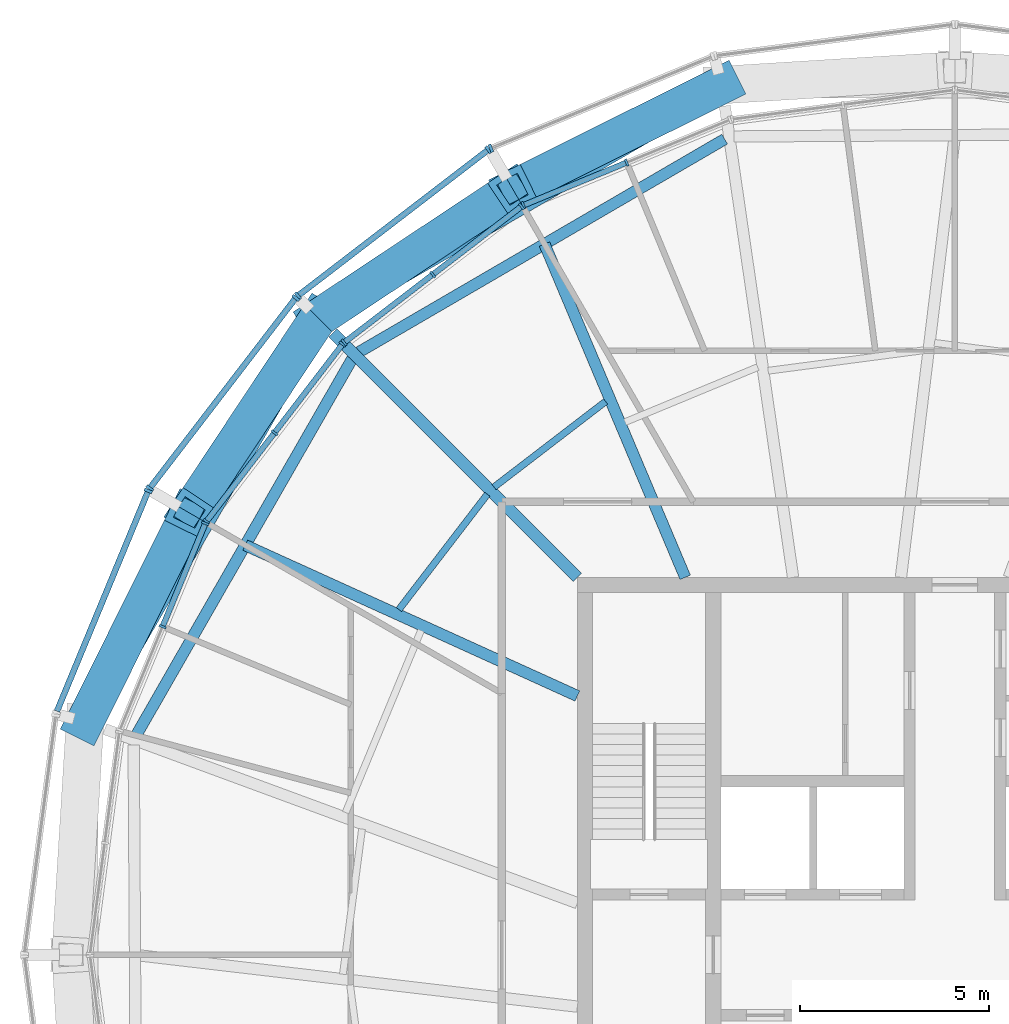
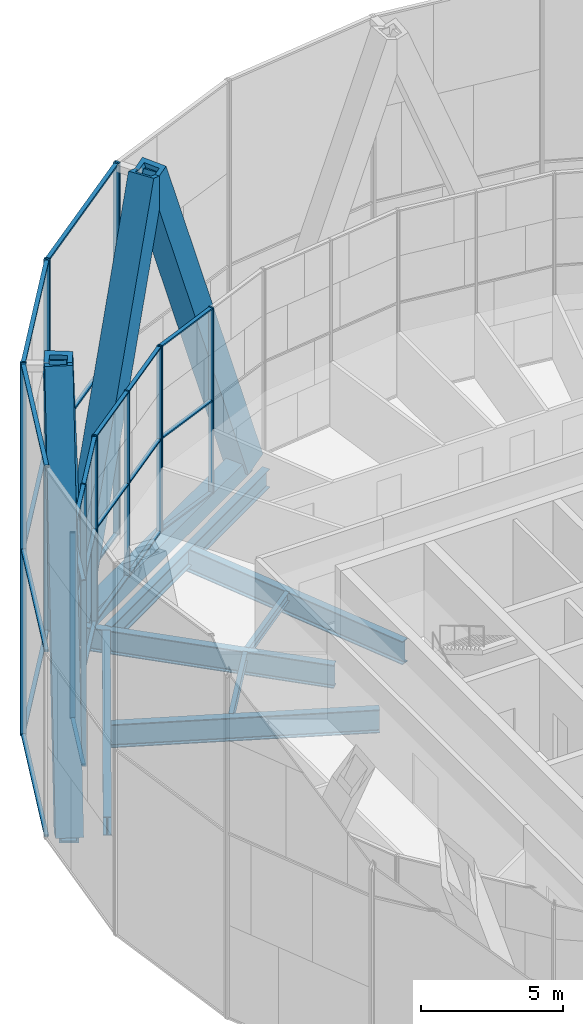
# One storey, part 6 of 23: 47 members, 9 beams, 8 elements without a shape of their own.
"""IFC4 building model written with IfcOpenShell, lengths in metres."""

from ifc_helpers import new_model, si_unit, direction, frame, origin, origin_2d, place, context, subcontext, project, spatial, rectangle, hollow_rectangle, i_section, extrude, material, material_profile, profile_set, type_object, element, aggregate, save


model = new_model("IFC4")

# Units and contexts
model_context = context("Model", 3, precision=1e-05, world=origin(), true_north=direction((0.0, 1.0)))
body_context = subcontext(model_context, "Body", "Model", "MODEL_VIEW")
ifc_project = project(units=[si_unit("LENGTHUNIT", "METRE"), si_unit("AREAUNIT", "SQUARE_METRE"), si_unit("VOLUMEUNIT", "CUBIC_METRE"), si_unit("PLANEANGLEUNIT", "RADIAN"), si_unit("MASSUNIT", "GRAM", prefix="KILO")], contexts=[model_context])

# Site, building, storey
site_placement = place(None, origin())
site = spatial("IfcSite", under=ifc_project, at=site_placement, CompositionType="ELEMENT")
building_placement = place(site_placement, origin())
building = spatial("IfcBuilding", under=site, at=building_placement, Name="Golbaran Civic Tower", CompositionType="ELEMENT")
storey_placement = place(building_placement, frame((0.0, 0.0, 232.0)))
storey = spatial("IfcBuildingStorey", under=building, at=storey_placement, Name="L56", CompositionType="ELEMENT", Elevation=232.0)

# Members
ifc_material_1 = material(Name="Steel S355", Category="steel")
ifc_material_profile_1 = material_profile(ifc_material_1, hollow_rectangle(XDim=1.0, YDim=1.0, WallThickness=0.179931640625, at=origin_2d()), Name="BOX 1000x1000x180")
ifc_profile_set_1 = profile_set([ifc_material_profile_1], Name="Steel S355")
member_type_1 = type_object("IfcMemberType", Name="DIAGRID DIAGONAL BOX 1000x1000x180", PredefinedType="BRACE", material=ifc_profile_set_1)
for number, where, z_axis, x_axis, name in (
    (1, (-6.174072265625, 23.042236328125, -0.7099609375), (-0.322799502318, -0.160737955962, 0.932718494947), (0.445744805751, -0.895160079621, 0.0), "Diagonal D13-03R L56-L60"),
    (2, (-16.867919921875, 16.867919921875, -0.7099609375), (-0.199193188521, -0.300597265987, 0.932718262568), (0.833589339874, -0.552384659859, 0.0), "Diagonal D13-04R L56-L60"),
    (3, (-16.867919921875, 16.867919921875, -0.7099609375), (0.300597265987, 0.199193188521, 0.932718262568), (-0.552384659859, 0.833589339874, 0.0), "Diagonal D13-04L L56-L60"),
    (4, (-23.042236328125, 6.174072265625, -0.7099609375), (0.160737955962, 0.322799502318, 0.932718494947), (-0.895160079621, 0.445744805751, 0.0), "Diagonal D13-05L L56-L60"),
):
    element("IfcMember", number, at=place(storey_placement, frame(where, z_axis=z_axis, x_axis=x_axis)), inside=storey, type_object=member_type_1, Name=name, PredefinedType="BRACE", context=body_context, shape_type="SweptSolid", body=[
        extrude(hollow_rectangle(XDim=1.0, YDim=1.0, WallThickness=0.179931640625, at=origin_2d()), origin(), (0.0, 0.0, 1.0), 17.154052734375),
    ])

# Beams
ifc_material_profile_2 = material_profile(ifc_material_1, hollow_rectangle(XDim=0.699951171875, YDim=0.699951171875, WallThickness=0.080078125, at=origin_2d()), Name="BOX 700x700x80")
ifc_profile_set_2 = profile_set([ifc_material_profile_2], Name="Steel S355")
beam_type_1 = type_object("IfcBeamType", Name="DIAGRID RING TIE BOX 700x700x80", PredefinedType="BEAM", material=ifc_profile_set_2)
for number, where, z_axis, x_axis, name in (
    (5, (-6.174072265625, 23.042236328125, -0.7099609375), (-0.866017668581, -0.500013397526, 0.0), (0.500013397526, -0.866017668581, 0.0), "Ring tie 105.00 L56"),
    (6, (-16.867919921875, 16.867919921875, -0.7099609375), (-0.500013397526, -0.866017668581, 0.0), (0.866017668581, -0.500013397526, 0.0), "Ring tie 135.00 L56"),
):
    element("IfcBeam", number, at=place(storey_placement, frame(where, z_axis=z_axis, x_axis=x_axis)), inside=storey, type_object=beam_type_1, Name=name, PredefinedType="BEAM", context=body_context, shape_type="SweptSolid", body=[
        extrude(hollow_rectangle(XDim=0.699951171875, YDim=0.699951171875, WallThickness=0.080078125, at=origin_2d()), origin(), (0.0, 0.0, 1.0), 12.348388671875),
    ])
ifc_material_profile_3 = material_profile(ifc_material_1, i_section(OverallWidth=0.300048828125, OverallDepth=0.800048828125, WebThickness=0.017578125, FlangeThickness=0.032958984375, FilletRadius=0.030029296875, at=origin_2d()), Name="HEB 800")
ifc_profile_set_3 = profile_set([ifc_material_profile_3], Name="Steel S355")
beam_type_2 = type_object("IfcBeamType", Name="EDGE BEAM HEB 800", PredefinedType="BEAM", material=ifc_profile_set_3)
beam_1_placement = place(storey_placement, frame((-6.097900390625, 21.607666015625, -0.60009765625), z_axis=(-0.86420835088, -0.503134103664, 0.0), x_axis=(0.503134103664, -0.86420835088, 0.0)))
element("IfcBeam", 7, at=beam_1_placement, inside=storey, type_object=beam_type_2, Name="Edge beam 105.00 L56", PredefinedType="BEAM", context=body_context, shape_type="SweptSolid", body=[
    extrude(i_section(OverallWidth=0.300048828125, OverallDepth=0.800048828125, WebThickness=0.017578125, FlangeThickness=0.032958984375, FilletRadius=0.030029296875, at=origin_2d()), origin(), (0.0, 0.0, 1.0), 11.20849609375),
])
beam_2_placement = place(storey_placement, frame((-15.9677734375, 15.783935546875, -0.60009765625), z_axis=(-0.497595320812, -0.867409301717, 0.0), x_axis=(0.867409301717, -0.497595320812, 0.0)))
element("IfcBeam", 8, at=beam_2_placement, inside=storey, type_object=beam_type_2, Name="Edge beam 135.00 L56", PredefinedType="BEAM", context=body_context, shape_type="SweptSolid", body=[
    extrude(i_section(OverallWidth=0.300048828125, OverallDepth=0.800048828125, WebThickness=0.017578125, FlangeThickness=0.032958984375, FilletRadius=0.030029296875, at=origin_2d()), origin(), (0.0, 0.0, 1.0), 11.494140625),
])
ifc_material_profile_4 = material_profile(ifc_material_1, i_section(OverallWidth=0.179931640625, OverallDepth=0.39990234375, WebThickness=0.008544921875, FlangeThickness=0.013427734375, FilletRadius=0.02099609375, at=origin_2d()), Name="IPE 400")
ifc_profile_set_4 = profile_set([ifc_material_profile_4], Name="Steel S355")
beam_type_3 = type_object("IfcBeamType", Name="FLOOR INFILL BEAM IPE 400", PredefinedType="BEAM", material=ifc_profile_set_4)
beam_3_placement = place(storey_placement, frame((-9.25146484375, 14.6591796875, -0.39990234375), z_axis=(-0.793354221476, -0.608760280624, 0.0), x_axis=(0.608760280624, -0.793354221476, 0.0)))
element("IfcBeam", 9, at=beam_3_placement, inside=storey, type_object=beam_type_3, Name="Infill beam 127.50 L56", PredefinedType="BEAM", context=body_context, shape_type="SweptSolid", body=[
    extrude(i_section(OverallWidth=0.179931640625, OverallDepth=0.39990234375, WebThickness=0.008544921875, FlangeThickness=0.013427734375, FilletRadius=0.02099609375, at=origin_2d()), origin(), (0.0, 0.0, 1.0), 3.725830078125),
])
beam_4_placement = place(storey_placement, frame((-12.38427734375, 12.200439453125, -0.39990234375), z_axis=(-0.608763080364, -0.793352073159, 0.0), x_axis=(0.793352073159, -0.608763080364, 0.0)))
element("IfcBeam", 10, at=beam_4_placement, inside=storey, type_object=beam_type_3, Name="Infill beam 142.50 L56", PredefinedType="BEAM", context=body_context, shape_type="SweptSolid", body=[
    extrude(i_section(OverallWidth=0.179931640625, OverallDepth=0.39990234375, WebThickness=0.008544921875, FlangeThickness=0.013427734375, FilletRadius=0.02099609375, at=origin_2d()), origin(), (0.0, 0.0, 1.0), 3.848876953125),
])

# Curtain wall, members
ifc_material_2 = material(Name="Aluminium and glass", Category="aluminium")
curtain_wall_type_1 = type_object("IfcCurtainWallType", Name="INNER SKIN CURTAIN WALL EXECUTIVE", PredefinedType="NOTDEFINED", material=ifc_material_2)
curtain_wall_1_placement = place(storey_placement, origin())
curtain_wall_1 = element("IfcCurtainWall", 11, at=curtain_wall_1_placement, inside=storey, type_object=curtain_wall_type_1, Name="Inner skin L56 facet 8 CW2", ObjectType="INNER SKIN", PredefinedType="USERDEFINED")
ifc_material_3 = material(Name="Aluminium", Category="aluminium")
ifc_material_profile_5 = material_profile(ifc_material_3, rectangle(XDim=0.199951171875, YDim=0.06005859375, at=origin_2d()), Name="INNER SKIN CURTAIN WALL EXECUTIVE MULLION")
ifc_profile_set_5 = profile_set([ifc_material_profile_5], Name="Aluminium")
member_type_2 = type_object("IfcMemberType", Name="INNER SKIN CURTAIN WALL EXECUTIVE MULLION", PredefinedType="MULLION", material=ifc_profile_set_5)
member_1_placement = place(storey_placement, frame((-8.693359375, 20.98779296875, 0.0), z_axis=(0.0, 0.0, 1.0), x_axis=(0.382683432365, -0.923879532511, 0.0)))
member_1 = element("IfcMember", 12, at=member_1_placement, type_object=member_type_2, Name="CW2 mullion 2", PredefinedType="MULLION", context=body_context, shape_type="SweptSolid", body=[
    extrude(rectangle(XDim=0.199951171875, YDim=0.06005859375, at=origin_2d()), origin(), (0.0, 0.0, 1.0), 8.0),
])
member_2_placement = place(storey_placement, frame((-11.4287109375, 19.854736328125, 0.0), z_axis=(0.0, 0.0, 1.0), x_axis=(0.382683432365, -0.923879532511, 0.0)))
member_2 = element("IfcMember", 13, at=member_2_placement, type_object=member_type_2, Name="CW2 mullion 3", PredefinedType="MULLION", context=body_context, shape_type="SweptSolid", body=[
    extrude(rectangle(XDim=0.199951171875, YDim=0.06005859375, at=origin_2d()), origin(), (0.0, 0.0, 1.0), 8.0),
])

curtain_wall_2_placement = place(storey_placement, origin())
curtain_wall_2 = element("IfcCurtainWall", 14, at=curtain_wall_2_placement, inside=storey, type_object=curtain_wall_type_1, Name="Inner skin L56 facet 9 CW2", ObjectType="INNER SKIN", PredefinedType="USERDEFINED")
member_3_placement = place(storey_placement, frame((-11.480224609375, 19.824951171875, 0.0), z_axis=(0.0, 0.0, 1.0), x_axis=(0.608761429078, -0.793353340238, 0.0)))
member_3 = element("IfcMember", 15, at=member_3_placement, type_object=member_type_2, Name="CW2 mullion 1", PredefinedType="MULLION", context=body_context, shape_type="SweptSolid", body=[
    extrude(rectangle(XDim=0.199951171875, YDim=0.06005859375, at=origin_2d()), origin(), (0.0, 0.0, 1.0), 8.0),
])
member_4_placement = place(storey_placement, frame((-13.8291015625, 18.022705078125, 0.0), z_axis=(0.0, 0.0, 1.0), x_axis=(0.608761429078, -0.793353340238, 0.0)))
member_4 = element("IfcMember", 16, at=member_4_placement, type_object=member_type_2, Name="CW2 mullion 2", PredefinedType="MULLION", context=body_context, shape_type="SweptSolid", body=[
    extrude(rectangle(XDim=0.199951171875, YDim=0.06005859375, at=origin_2d()), origin(), (0.0, 0.0, 1.0), 8.0),
])
member_5_placement = place(storey_placement, frame((-16.17822265625, 16.22021484375, 0.0), z_axis=(0.0, 0.0, 1.0), x_axis=(0.608761429078, -0.793353340238, 0.0)))
member_5 = element("IfcMember", 17, at=member_5_placement, type_object=member_type_2, Name="CW2 mullion 3", PredefinedType="MULLION", context=body_context, shape_type="SweptSolid", body=[
    extrude(rectangle(XDim=0.199951171875, YDim=0.06005859375, at=origin_2d()), origin(), (0.0, 0.0, 1.0), 8.0),
])

curtain_wall_3_placement = place(storey_placement, origin())
curtain_wall_3 = element("IfcCurtainWall", 18, at=curtain_wall_3_placement, inside=storey, type_object=curtain_wall_type_1, Name="Inner skin L56 facet 10 CW2", ObjectType="INNER SKIN", PredefinedType="USERDEFINED")
member_6_placement = place(storey_placement, frame((-16.22021484375, 16.17822265625, 0.0), z_axis=(0.0, 0.0, 1.0), x_axis=(0.793353340238, -0.608761429078, 0.0)))
member_6 = element("IfcMember", 19, at=member_6_placement, type_object=member_type_2, Name="CW2 mullion 1", PredefinedType="MULLION", context=body_context, shape_type="SweptSolid", body=[
    extrude(rectangle(XDim=0.199951171875, YDim=0.06005859375, at=origin_2d()), origin(), (0.0, 0.0, 1.0), 8.0),
])
member_7_placement = place(storey_placement, frame((-18.022705078125, 13.8291015625, 0.0), z_axis=(0.0, 0.0, 1.0), x_axis=(0.793353340238, -0.608761429078, 0.0)))
member_7 = element("IfcMember", 20, at=member_7_placement, type_object=member_type_2, Name="CW2 mullion 2", PredefinedType="MULLION", context=body_context, shape_type="SweptSolid", body=[
    extrude(rectangle(XDim=0.199951171875, YDim=0.06005859375, at=origin_2d()), origin(), (0.0, 0.0, 1.0), 8.0),
])
member_8_placement = place(storey_placement, frame((-19.824951171875, 11.480224609375, 0.0), z_axis=(0.0, 0.0, 1.0), x_axis=(0.793353340238, -0.608761429078, 0.0)))
member_8 = element("IfcMember", 21, at=member_8_placement, type_object=member_type_2, Name="CW2 mullion 3", PredefinedType="MULLION", context=body_context, shape_type="SweptSolid", body=[
    extrude(rectangle(XDim=0.199951171875, YDim=0.06005859375, at=origin_2d()), origin(), (0.0, 0.0, 1.0), 8.0),
])

curtain_wall_4_placement = place(storey_placement, origin())
curtain_wall_4 = element("IfcCurtainWall", 22, at=curtain_wall_4_placement, inside=storey, type_object=curtain_wall_type_1, Name="Inner skin L56 facet 11 CW2", ObjectType="INNER SKIN", PredefinedType="USERDEFINED")
member_9_placement = place(storey_placement, frame((-19.854736328125, 11.4287109375, 0.0), z_axis=(0.0, 0.0, 1.0), x_axis=(0.923879532511, -0.382683432365, 0.0)))
member_9 = element("IfcMember", 23, at=member_9_placement, type_object=member_type_2, Name="CW2 mullion 1", PredefinedType="MULLION", context=body_context, shape_type="SweptSolid", body=[
    extrude(rectangle(XDim=0.199951171875, YDim=0.06005859375, at=origin_2d()), origin(), (0.0, 0.0, 1.0), 8.0),
])
member_10_placement = place(storey_placement, frame((-20.98779296875, 8.693359375, 0.0), z_axis=(0.0, 0.0, 1.0), x_axis=(0.923879532511, -0.382683432365, 0.0)))
member_10 = element("IfcMember", 24, at=member_10_placement, type_object=member_type_2, Name="CW2 mullion 2", PredefinedType="MULLION", context=body_context, shape_type="SweptSolid", body=[
    extrude(rectangle(XDim=0.199951171875, YDim=0.06005859375, at=origin_2d()), origin(), (0.0, 0.0, 1.0), 8.0),
])

# Member
ifc_material_profile_6 = material_profile(ifc_material_3, rectangle(XDim=0.14990234375, YDim=0.06005859375, at=origin_2d()), Name="INNER SKIN CURTAIN WALL EXECUTIVE TRANSOM")
ifc_profile_set_6 = profile_set([ifc_material_profile_6], Name="Aluminium")
member_type_3 = type_object("IfcMemberType", Name="INNER SKIN CURTAIN WALL EXECUTIVE TRANSOM", PredefinedType="USERDEFINED", material=ifc_profile_set_6)
member_11_placement = place(storey_placement, frame((-8.72119140625, 20.976318359375, 0.030029296875), z_axis=(-0.923874243896, -0.382696199963, 0.0), x_axis=(0.382696199963, -0.923874243896, 0.0)))
member_11 = element("IfcMember", 25, at=member_11_placement, type_object=member_type_3, Name="CW2 transom 2.1", ObjectType="TRANSOM", PredefinedType="USERDEFINED", context=body_context, shape_type="SweptSolid", body=[
    extrude(rectangle(XDim=0.14990234375, YDim=0.06005859375, at=origin_2d()), origin(), (0.0, 0.0, 1.0), 2.900634765625),
])

member_12_placement = place(storey_placement, frame((-8.72119140625, 20.976318359375, 4.0), z_axis=(-0.923874243896, -0.382696199963, 0.0), x_axis=(0.382696199963, -0.923874243896, 0.0)))
member_12 = element("IfcMember", 26, at=member_12_placement, type_object=member_type_3, Name="CW2 transom 2.2", ObjectType="TRANSOM", PredefinedType="USERDEFINED", context=body_context, shape_type="SweptSolid", body=[
    extrude(rectangle(XDim=0.14990234375, YDim=0.06005859375, at=origin_2d()), origin(), (0.0, 0.0, 1.0), 2.900634765625),
])

member_13_placement = place(storey_placement, frame((-8.72119140625, 20.976318359375, 7.969970703125), z_axis=(-0.923874243896, -0.382696199963, 0.0), x_axis=(0.382696199963, -0.923874243896, 0.0)))
member_13 = element("IfcMember", 27, at=member_13_placement, type_object=member_type_3, Name="CW2 transom 2.3", ObjectType="TRANSOM", PredefinedType="USERDEFINED", context=body_context, shape_type="SweptSolid", body=[
    extrude(rectangle(XDim=0.14990234375, YDim=0.06005859375, at=origin_2d()), origin(), (0.0, 0.0, 1.0), 2.900634765625),
])

aggregate(curtain_wall_1, [member_1, member_2, member_11, member_12, member_13])

member_14_placement = place(storey_placement, frame((-11.504150390625, 19.806640625, 0.030029296875), z_axis=(-0.793346193695, -0.608770742521, 0.0), x_axis=(0.608770742521, -0.793346193695, 0.0)))
member_14 = element("IfcMember", 28, at=member_14_placement, type_object=member_type_3, Name="CW2 transom 1.1", ObjectType="TRANSOM", PredefinedType="USERDEFINED", context=body_context, shape_type="SweptSolid", body=[
    extrude(rectangle(XDim=0.14990234375, YDim=0.06005859375, at=origin_2d()), origin(), (0.0, 0.0, 1.0), 2.900634765625),
])

member_15_placement = place(storey_placement, frame((-11.504150390625, 19.806640625, 4.0), z_axis=(-0.793346193695, -0.608770742521, 0.0), x_axis=(0.608770742521, -0.793346193695, 0.0)))
member_15 = element("IfcMember", 29, at=member_15_placement, type_object=member_type_3, Name="CW2 transom 1.2", ObjectType="TRANSOM", PredefinedType="USERDEFINED", context=body_context, shape_type="SweptSolid", body=[
    extrude(rectangle(XDim=0.14990234375, YDim=0.06005859375, at=origin_2d()), origin(), (0.0, 0.0, 1.0), 2.900634765625),
])

member_16_placement = place(storey_placement, frame((-11.504150390625, 19.806640625, 7.969970703125), z_axis=(-0.793346193695, -0.608770742521, 0.0), x_axis=(0.608770742521, -0.793346193695, 0.0)))
member_16 = element("IfcMember", 30, at=member_16_placement, type_object=member_type_3, Name="CW2 transom 1.3", ObjectType="TRANSOM", PredefinedType="USERDEFINED", context=body_context, shape_type="SweptSolid", body=[
    extrude(rectangle(XDim=0.14990234375, YDim=0.06005859375, at=origin_2d()), origin(), (0.0, 0.0, 1.0), 2.900634765625),
])

member_17_placement = place(storey_placement, frame((-13.85302734375, 18.00439453125, 0.030029296875), z_axis=(-0.793346193695, -0.608770742521, 0.0), x_axis=(0.608770742521, -0.793346193695, 0.0)))
member_17 = element("IfcMember", 31, at=member_17_placement, type_object=member_type_3, Name="CW2 transom 2.1", ObjectType="TRANSOM", PredefinedType="USERDEFINED", context=body_context, shape_type="SweptSolid", body=[
    extrude(rectangle(XDim=0.14990234375, YDim=0.06005859375, at=origin_2d()), origin(), (0.0, 0.0, 1.0), 2.900634765625),
])

member_18_placement = place(storey_placement, frame((-13.85302734375, 18.00439453125, 4.0), z_axis=(-0.793346193695, -0.608770742521, 0.0), x_axis=(0.608770742521, -0.793346193695, 0.0)))
member_18 = element("IfcMember", 32, at=member_18_placement, type_object=member_type_3, Name="CW2 transom 2.2", ObjectType="TRANSOM", PredefinedType="USERDEFINED", context=body_context, shape_type="SweptSolid", body=[
    extrude(rectangle(XDim=0.14990234375, YDim=0.06005859375, at=origin_2d()), origin(), (0.0, 0.0, 1.0), 2.900634765625),
])

member_19_placement = place(storey_placement, frame((-13.85302734375, 18.00439453125, 7.969970703125), z_axis=(-0.793346193695, -0.608770742521, 0.0), x_axis=(0.608770742521, -0.793346193695, 0.0)))
member_19 = element("IfcMember", 33, at=member_19_placement, type_object=member_type_3, Name="CW2 transom 2.3", ObjectType="TRANSOM", PredefinedType="USERDEFINED", context=body_context, shape_type="SweptSolid", body=[
    extrude(rectangle(XDim=0.14990234375, YDim=0.06005859375, at=origin_2d()), origin(), (0.0, 0.0, 1.0), 2.900634765625),
])

aggregate(curtain_wall_2, [member_3, member_4, member_5, member_14, member_15, member_16, member_17, member_18, member_19])

member_20_placement = place(storey_placement, frame((-16.238525390625, 16.154296875, 0.030029296875), z_axis=(-0.608770742521, -0.793346193695, 0.0), x_axis=(0.793346193695, -0.608770742521, 0.0)))
member_20 = element("IfcMember", 34, at=member_20_placement, type_object=member_type_3, Name="CW2 transom 1.1", ObjectType="TRANSOM", PredefinedType="USERDEFINED", context=body_context, shape_type="SweptSolid", body=[
    extrude(rectangle(XDim=0.14990234375, YDim=0.06005859375, at=origin_2d()), origin(), (0.0, 0.0, 1.0), 2.900634765625),
])

member_21_placement = place(storey_placement, frame((-16.238525390625, 16.154296875, 4.0), z_axis=(-0.608770742521, -0.793346193695, 0.0), x_axis=(0.793346193695, -0.608770742521, 0.0)))
member_21 = element("IfcMember", 35, at=member_21_placement, type_object=member_type_3, Name="CW2 transom 1.2", ObjectType="TRANSOM", PredefinedType="USERDEFINED", context=body_context, shape_type="SweptSolid", body=[
    extrude(rectangle(XDim=0.14990234375, YDim=0.06005859375, at=origin_2d()), origin(), (0.0, 0.0, 1.0), 2.900634765625),
])

member_22_placement = place(storey_placement, frame((-16.238525390625, 16.154296875, 7.969970703125), z_axis=(-0.608770742521, -0.793346193695, 0.0), x_axis=(0.793346193695, -0.608770742521, 0.0)))
member_22 = element("IfcMember", 36, at=member_22_placement, type_object=member_type_3, Name="CW2 transom 1.3", ObjectType="TRANSOM", PredefinedType="USERDEFINED", context=body_context, shape_type="SweptSolid", body=[
    extrude(rectangle(XDim=0.14990234375, YDim=0.06005859375, at=origin_2d()), origin(), (0.0, 0.0, 1.0), 2.900634765625),
])

member_23_placement = place(storey_placement, frame((-18.040771484375, 13.805419921875, 0.030029296875), z_axis=(-0.608770742521, -0.793346193695, 0.0), x_axis=(0.793346193695, -0.608770742521, 0.0)))
member_23 = element("IfcMember", 37, at=member_23_placement, type_object=member_type_3, Name="CW2 transom 2.1", ObjectType="TRANSOM", PredefinedType="USERDEFINED", context=body_context, shape_type="SweptSolid", body=[
    extrude(rectangle(XDim=0.14990234375, YDim=0.06005859375, at=origin_2d()), origin(), (0.0, 0.0, 1.0), 2.900634765625),
])

member_24_placement = place(storey_placement, frame((-18.040771484375, 13.805419921875, 4.0), z_axis=(-0.608770742521, -0.793346193695, 0.0), x_axis=(0.793346193695, -0.608770742521, 0.0)))
member_24 = element("IfcMember", 38, at=member_24_placement, type_object=member_type_3, Name="CW2 transom 2.2", ObjectType="TRANSOM", PredefinedType="USERDEFINED", context=body_context, shape_type="SweptSolid", body=[
    extrude(rectangle(XDim=0.14990234375, YDim=0.06005859375, at=origin_2d()), origin(), (0.0, 0.0, 1.0), 2.900634765625),
])

member_25_placement = place(storey_placement, frame((-18.040771484375, 13.805419921875, 7.969970703125), z_axis=(-0.608770742521, -0.793346193695, 0.0), x_axis=(0.793346193695, -0.608770742521, 0.0)))
member_25 = element("IfcMember", 39, at=member_25_placement, type_object=member_type_3, Name="CW2 transom 2.3", ObjectType="TRANSOM", PredefinedType="USERDEFINED", context=body_context, shape_type="SweptSolid", body=[
    extrude(rectangle(XDim=0.14990234375, YDim=0.06005859375, at=origin_2d()), origin(), (0.0, 0.0, 1.0), 2.900634765625),
])

aggregate(curtain_wall_3, [member_6, member_7, member_8, member_20, member_21, member_22, member_23, member_24, member_25])

member_26_placement = place(storey_placement, frame((-19.8662109375, 11.401123046875, 0.030029296875), z_axis=(-0.382696199963, -0.923874243896, 0.0), x_axis=(0.923874243896, -0.382696199963, 0.0)))
member_26 = element("IfcMember", 40, at=member_26_placement, type_object=member_type_3, Name="CW2 transom 1.1", ObjectType="TRANSOM", PredefinedType="USERDEFINED", context=body_context, shape_type="SweptSolid", body=[
    extrude(rectangle(XDim=0.14990234375, YDim=0.06005859375, at=origin_2d()), origin(), (0.0, 0.0, 1.0), 2.900634765625),
])

member_27_placement = place(storey_placement, frame((-19.8662109375, 11.401123046875, 4.0), z_axis=(-0.382696199963, -0.923874243896, 0.0), x_axis=(0.923874243896, -0.382696199963, 0.0)))
member_27 = element("IfcMember", 41, at=member_27_placement, type_object=member_type_3, Name="CW2 transom 1.2", ObjectType="TRANSOM", PredefinedType="USERDEFINED", context=body_context, shape_type="SweptSolid", body=[
    extrude(rectangle(XDim=0.14990234375, YDim=0.06005859375, at=origin_2d()), origin(), (0.0, 0.0, 1.0), 2.900634765625),
])

member_28_placement = place(storey_placement, frame((-19.8662109375, 11.401123046875, 7.969970703125), z_axis=(-0.382696199963, -0.923874243896, 0.0), x_axis=(0.923874243896, -0.382696199963, 0.0)))
member_28 = element("IfcMember", 42, at=member_28_placement, type_object=member_type_3, Name="CW2 transom 1.3", ObjectType="TRANSOM", PredefinedType="USERDEFINED", context=body_context, shape_type="SweptSolid", body=[
    extrude(rectangle(XDim=0.14990234375, YDim=0.06005859375, at=origin_2d()), origin(), (0.0, 0.0, 1.0), 2.900634765625),
])

aggregate(curtain_wall_4, [member_9, member_10, member_26, member_27, member_28])

# Curtain wall, member
curtain_wall_type_2 = type_object("IfcCurtainWallType", Name="OUTER SKIN TERRACOTTA SCREEN", PredefinedType="NOTDEFINED", material=ifc_material_2)
curtain_wall_5_placement = place(storey_placement, origin())
curtain_wall_5 = element("IfcCurtainWall", 43, at=curtain_wall_5_placement, inside=storey, type_object=curtain_wall_type_2, Name="Outer skin L56 facet 8 CW3", ObjectType="OUTER SKIN", PredefinedType="USERDEFINED")
ifc_material_profile_7 = material_profile(ifc_material_3, rectangle(XDim=0.219970703125, YDim=0.080078125, at=origin_2d()), Name="OUTER SKIN TERRACOTTA SCREEN MULLION")
ifc_profile_set_7 = profile_set([ifc_material_profile_7], Name="Aluminium")
member_type_4 = type_object("IfcMemberType", Name="OUTER SKIN TERRACOTTA SCREEN MULLION", PredefinedType="MULLION", material=ifc_profile_set_7)
member_29_placement = place(storey_placement, frame((-12.29052734375, 21.3671875, -0.7099609375), z_axis=(0.0, 0.0, 1.0), x_axis=(0.382683432381, -0.923879532505, 0.0)))
member_29 = element("IfcMember", 44, at=member_29_placement, type_object=member_type_4, Name="CW3 mullion 2", PredefinedType="MULLION", context=body_context, shape_type="SweptSolid", body=[
    extrude(rectangle(XDim=0.219970703125, YDim=0.080078125, at=origin_2d()), origin(), (0.0, 0.0, 1.0), 16.0),
])
aggregate(curtain_wall_5, [member_29])

# Curtain wall, members
curtain_wall_6_placement = place(storey_placement, origin())
curtain_wall_6 = element("IfcCurtainWall", 45, at=curtain_wall_6_placement, inside=storey, type_object=curtain_wall_type_2, Name="Outer skin L56 facet 9 CW3", ObjectType="OUTER SKIN", PredefinedType="USERDEFINED")
member_30_placement = place(storey_placement, frame((-12.359130859375, 21.327392578125, -0.7099609375), z_axis=(0.0, 0.0, 1.0), x_axis=(0.608761429009, -0.793353340291, 0.0)))
member_30 = element("IfcMember", 46, at=member_30_placement, type_object=member_type_4, Name="CW3 mullion 1", PredefinedType="MULLION", context=body_context, shape_type="SweptSolid", body=[
    extrude(rectangle(XDim=0.219970703125, YDim=0.080078125, at=origin_2d()), origin(), (0.0, 0.0, 1.0), 16.0),
])
member_31_placement = place(storey_placement, frame((-17.402099609375, 17.4580078125, -0.7099609375), z_axis=(0.0, 0.0, 1.0), x_axis=(0.608761429009, -0.793353340291, 0.0)))
member_31 = element("IfcMember", 47, at=member_31_placement, type_object=member_type_4, Name="CW3 mullion 2", PredefinedType="MULLION", context=body_context, shape_type="SweptSolid", body=[
    extrude(rectangle(XDim=0.219970703125, YDim=0.080078125, at=origin_2d()), origin(), (0.0, 0.0, 1.0), 16.0),
])

curtain_wall_7_placement = place(storey_placement, origin())
curtain_wall_7 = element("IfcCurtainWall", 48, at=curtain_wall_7_placement, inside=storey, type_object=curtain_wall_type_2, Name="Outer skin L56 facet 10 CW3", ObjectType="OUTER SKIN", PredefinedType="USERDEFINED")
member_32_placement = place(storey_placement, frame((-17.4580078125, 17.402099609375, -0.7099609375), z_axis=(0.0, 0.0, 1.0), x_axis=(0.793353340291, -0.608761429009, 0.0)))
member_32 = element("IfcMember", 49, at=member_32_placement, type_object=member_type_4, Name="CW3 mullion 1", PredefinedType="MULLION", context=body_context, shape_type="SweptSolid", body=[
    extrude(rectangle(XDim=0.219970703125, YDim=0.080078125, at=origin_2d()), origin(), (0.0, 0.0, 1.0), 16.0),
])
member_33_placement = place(storey_placement, frame((-21.327392578125, 12.359130859375, -0.7099609375), z_axis=(0.0, 0.0, 1.0), x_axis=(0.793353340291, -0.608761429009, 0.0)))
member_33 = element("IfcMember", 50, at=member_33_placement, type_object=member_type_4, Name="CW3 mullion 2", PredefinedType="MULLION", context=body_context, shape_type="SweptSolid", body=[
    extrude(rectangle(XDim=0.219970703125, YDim=0.080078125, at=origin_2d()), origin(), (0.0, 0.0, 1.0), 16.0),
])

# Curtain wall, member
curtain_wall_8_placement = place(storey_placement, origin())
curtain_wall_8 = element("IfcCurtainWall", 51, at=curtain_wall_8_placement, inside=storey, type_object=curtain_wall_type_2, Name="Outer skin L56 facet 11 CW3", ObjectType="OUTER SKIN", PredefinedType="USERDEFINED")
member_34_placement = place(storey_placement, frame((-21.3671875, 12.29052734375, -0.7099609375), z_axis=(0.0, 0.0, 1.0), x_axis=(0.923879532505, -0.382683432381, 0.0)))
member_34 = element("IfcMember", 52, at=member_34_placement, type_object=member_type_4, Name="CW3 mullion 1", PredefinedType="MULLION", context=body_context, shape_type="SweptSolid", body=[
    extrude(rectangle(XDim=0.219970703125, YDim=0.080078125, at=origin_2d()), origin(), (0.0, 0.0, 1.0), 16.0),
])

# Member
ifc_material_profile_8 = material_profile(ifc_material_3, rectangle(XDim=0.159912109375, YDim=0.080078125, at=origin_2d()), Name="OUTER SKIN TERRACOTTA SCREEN TRANSOM")
ifc_profile_set_8 = profile_set([ifc_material_profile_8], Name="Aluminium")
member_type_5 = type_object("IfcMemberType", Name="OUTER SKIN TERRACOTTA SCREEN TRANSOM", PredefinedType="USERDEFINED", material=ifc_profile_set_8)
member_35_placement = place(storey_placement, frame((-12.390869140625, 21.30322265625, -0.669921875), z_axis=(-0.793360878144, -0.608751605362, 0.0), x_axis=(0.608751605362, -0.793360878144, 0.0)))
member_35 = element("IfcMember", 53, at=member_35_placement, type_object=member_type_5, Name="CW3 transom 1.1", ObjectType="TRANSOM", PredefinedType="USERDEFINED", context=body_context, shape_type="SweptSolid", body=[
    extrude(rectangle(XDim=0.159912109375, YDim=0.080078125, at=origin_2d()), origin(), (0.0, 0.0, 1.0), 6.2763671875),
])

member_36_placement = place(storey_placement, frame((-12.390869140625, 21.30322265625, 7.2900390625), z_axis=(-0.793360878144, -0.608751605362, 0.0), x_axis=(0.608751605362, -0.793360878144, 0.0)))
member_36 = element("IfcMember", 54, at=member_36_placement, type_object=member_type_5, Name="CW3 transom 1.2", ObjectType="TRANSOM", PredefinedType="USERDEFINED", context=body_context, shape_type="SweptSolid", body=[
    extrude(rectangle(XDim=0.159912109375, YDim=0.080078125, at=origin_2d()), origin(), (0.0, 0.0, 1.0), 6.2763671875),
])

member_37_placement = place(storey_placement, frame((-12.390869140625, 21.30322265625, 15.25), z_axis=(-0.793360878144, -0.608751605362, 0.0), x_axis=(0.608751605362, -0.793360878144, 0.0)))
member_37 = element("IfcMember", 55, at=member_37_placement, type_object=member_type_5, Name="CW3 transom 1.3", ObjectType="TRANSOM", PredefinedType="USERDEFINED", context=body_context, shape_type="SweptSolid", body=[
    extrude(rectangle(XDim=0.159912109375, YDim=0.080078125, at=origin_2d()), origin(), (0.0, 0.0, 1.0), 6.2763671875),
])

aggregate(curtain_wall_6, [member_30, member_31, member_35, member_36, member_37])

member_38_placement = place(storey_placement, frame((-17.482421875, 17.370361328125, -0.669921875), z_axis=(-0.608751605362, -0.793360878144, 0.0), x_axis=(0.793360878144, -0.608751605362, 0.0)))
member_38 = element("IfcMember", 56, at=member_38_placement, type_object=member_type_5, Name="CW3 transom 1.1", ObjectType="TRANSOM", PredefinedType="USERDEFINED", context=body_context, shape_type="SweptSolid", body=[
    extrude(rectangle(XDim=0.159912109375, YDim=0.080078125, at=origin_2d()), origin(), (0.0, 0.0, 1.0), 6.2763671875),
])

member_39_placement = place(storey_placement, frame((-17.482421875, 17.370361328125, 7.2900390625), z_axis=(-0.608751605362, -0.793360878144, 0.0), x_axis=(0.793360878144, -0.608751605362, 0.0)))
member_39 = element("IfcMember", 57, at=member_39_placement, type_object=member_type_5, Name="CW3 transom 1.2", ObjectType="TRANSOM", PredefinedType="USERDEFINED", context=body_context, shape_type="SweptSolid", body=[
    extrude(rectangle(XDim=0.159912109375, YDim=0.080078125, at=origin_2d()), origin(), (0.0, 0.0, 1.0), 6.2763671875),
])

member_40_placement = place(storey_placement, frame((-17.482421875, 17.370361328125, 15.25), z_axis=(-0.608751605362, -0.793360878144, 0.0), x_axis=(0.793360878144, -0.608751605362, 0.0)))
member_40 = element("IfcMember", 58, at=member_40_placement, type_object=member_type_5, Name="CW3 transom 1.3", ObjectType="TRANSOM", PredefinedType="USERDEFINED", context=body_context, shape_type="SweptSolid", body=[
    extrude(rectangle(XDim=0.159912109375, YDim=0.080078125, at=origin_2d()), origin(), (0.0, 0.0, 1.0), 6.2763671875),
])

aggregate(curtain_wall_7, [member_32, member_33, member_38, member_39, member_40])

member_41_placement = place(storey_placement, frame((-21.382568359375, 12.253662109375, -0.669921875), z_axis=(-0.382650683858, -0.923893096707, 0.0), x_axis=(0.923893096707, -0.382650683858, 0.0)))
member_41 = element("IfcMember", 59, at=member_41_placement, type_object=member_type_5, Name="CW3 transom 1.1", ObjectType="TRANSOM", PredefinedType="USERDEFINED", context=body_context, shape_type="SweptSolid", body=[
    extrude(rectangle(XDim=0.159912109375, YDim=0.080078125, at=origin_2d()), origin(), (0.0, 0.0, 1.0), 6.2763671875),
])

member_42_placement = place(storey_placement, frame((-21.382568359375, 12.253662109375, 7.2900390625), z_axis=(-0.382650683858, -0.923893096707, 0.0), x_axis=(0.923893096707, -0.382650683858, 0.0)))
member_42 = element("IfcMember", 60, at=member_42_placement, type_object=member_type_5, Name="CW3 transom 1.2", ObjectType="TRANSOM", PredefinedType="USERDEFINED", context=body_context, shape_type="SweptSolid", body=[
    extrude(rectangle(XDim=0.159912109375, YDim=0.080078125, at=origin_2d()), origin(), (0.0, 0.0, 1.0), 6.2763671875),
])

member_43_placement = place(storey_placement, frame((-21.382568359375, 12.253662109375, 15.25), z_axis=(-0.382650683858, -0.923893096707, 0.0), x_axis=(0.923893096707, -0.382650683858, 0.0)))
member_43 = element("IfcMember", 61, at=member_43_placement, type_object=member_type_5, Name="CW3 transom 1.3", ObjectType="TRANSOM", PredefinedType="USERDEFINED", context=body_context, shape_type="SweptSolid", body=[
    extrude(rectangle(XDim=0.159912109375, YDim=0.080078125, at=origin_2d()), origin(), (0.0, 0.0, 1.0), 6.2763671875),
])

aggregate(curtain_wall_8, [member_34, member_41, member_42, member_43])

# Beams
ifc_material_profile_9 = material_profile(ifc_material_1, i_section(OverallWidth=0.300048828125, OverallDepth=1.0, WebThickness=0.01904296875, FlangeThickness=0.035888671875, FilletRadius=0.030029296875, at=origin_2d()), Name="HEB 1000")
ifc_profile_set_9 = profile_set([ifc_material_profile_9], Name="Steel S355")
beam_type_4 = type_object("IfcBeamType", Name="RADIAL FLOOR BEAM HEB 1000", PredefinedType="BEAM", material=ifc_profile_set_9)
beam_5_placement = place(storey_placement, frame((-10.0, 10.0, -0.7099609375), z_axis=(-0.707106781187, 0.707106781187, 0.0), x_axis=(-0.707106781187, -0.707106781187, 0.0)))
element("IfcBeam", 62, at=beam_5_placement, inside=storey, type_object=beam_type_4, Name="Radial beam 135.00 L56", PredefinedType="BEAM", context=body_context, shape_type="SweptSolid", body=[
    extrude(i_section(OverallWidth=0.300048828125, OverallDepth=1.0, WebThickness=0.01904296875, FlangeThickness=0.035888671875, FilletRadius=0.030029296875, at=origin_2d()), origin(), (0.0, 0.0, 1.0), 9.16162109375),
])
ifc_material_profile_10 = material_profile(ifc_material_1, i_section(OverallWidth=0.300048828125, OverallDepth=1.0, WebThickness=0.01904296875, FlangeThickness=0.035888671875, FilletRadius=0.030029296875, at=origin_2d()), Name="HEB 1000")
ifc_profile_set_10 = profile_set([ifc_material_profile_10], Name="Steel S355")
beam_type_5 = type_object("IfcBeamType", Name="SECONDARY FLOOR BEAM HEB 1000", PredefinedType="BEAM", material=ifc_profile_set_10)
beam_6_placement = place(storey_placement, frame((-7.142822265625, 10.0, -0.7099609375), z_axis=(-0.388997500839, 0.921238809615, 0.0), x_axis=(-0.921238809615, -0.388997500839, 0.0)))
element("IfcBeam", 63, at=beam_6_placement, inside=storey, type_object=beam_type_5, Name="Secondary beam 120.00 L56", PredefinedType="BEAM", context=body_context, shape_type="SweptSolid", body=[
    extrude(i_section(OverallWidth=0.300048828125, OverallDepth=1.0, WebThickness=0.01904296875, FlangeThickness=0.035888671875, FilletRadius=0.030029296875, at=origin_2d()), origin(), (0.0, 0.0, 1.0), 9.583740234375),
])
beam_7_placement = place(storey_placement, frame((-10.0, 6.857177734375, -0.7099609375), z_axis=(-0.910497108225, 0.413515436124, 0.0), x_axis=(-0.413515436124, -0.910497108225, 0.0)))
element("IfcBeam", 64, at=beam_7_placement, inside=storey, type_object=beam_type_5, Name="Secondary beam 150.00 L56", PredefinedType="BEAM", context=body_context, shape_type="SweptSolid", body=[
    extrude(i_section(OverallWidth=0.300048828125, OverallDepth=1.0, WebThickness=0.01904296875, FlangeThickness=0.035888671875, FilletRadius=0.030029296875, at=origin_2d()), origin(), (0.0, 0.0, 1.0), 9.661376953125),
])

save(model, "model.ifc")
